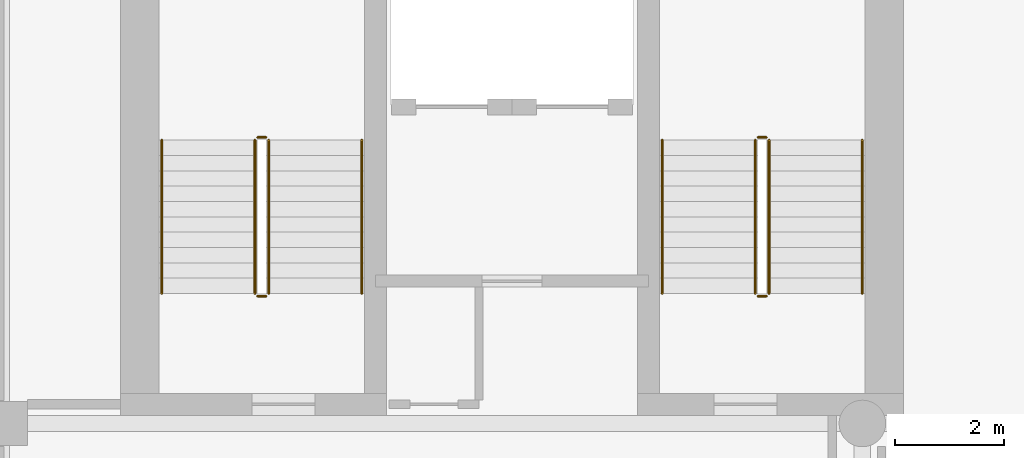
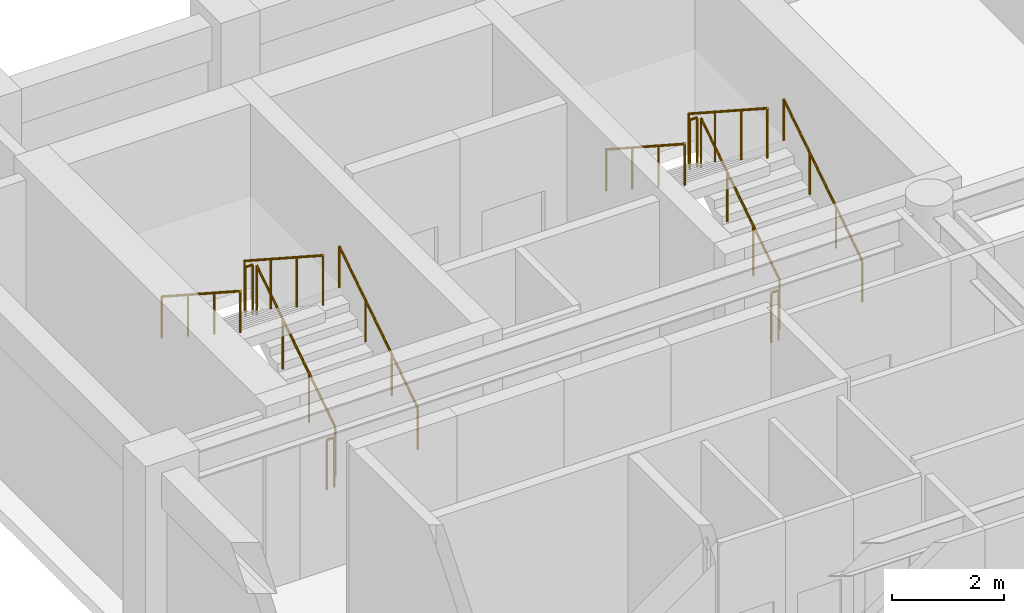
# One storey, part 9 of 10: 12 railings.
"""IFC4 building model written with IfcOpenShell, lengths in metres."""

from ifc_helpers import new_model, si_unit, direction, frame, origin, origin_2d, place, context, subcontext, project, spatial, circle, extrude, material, type_object, element, save


model = new_model("IFC4")

# Units and contexts
model_context = context("Model", 3, precision=1e-05, world=origin(), true_north=direction((0.0, 1.0)))
body_context = subcontext(model_context, "Body", "Model", "MODEL_VIEW")
ifc_project = project(units=[si_unit("LENGTHUNIT", "METRE"), si_unit("AREAUNIT", "SQUARE_METRE"), si_unit("VOLUMEUNIT", "CUBIC_METRE"), si_unit("PLANEANGLEUNIT", "RADIAN"), si_unit("MASSUNIT", "GRAM", prefix="KILO")], contexts=[model_context])

# Site, building, storey
site_placement = place(None, origin())
site = spatial("IfcSite", under=ifc_project, at=site_placement, CompositionType="ELEMENT")
building_placement = place(site_placement, origin())
building = spatial("IfcBuilding", under=site, at=building_placement, Name="Sulina Concourse Tower", CompositionType="ELEMENT")
storey_placement = place(building_placement, frame((0.0, 0.0, 214.60009765625)))
storey = spatial("IfcBuildingStorey", under=building, at=storey_placement, Name="L52", CompositionType="ELEMENT", Elevation=214.60009765625)

# Railings
ifc_material_1 = material(Name="Galvanised steel railing", Category="steel")
railing_type_1 = type_object("IfcRailingType", Name="Core Stair Steel Guardrail 1150mm", PredefinedType="GUARDRAIL", material=ifc_material_1)
railing_1_placement = place(storey_placement, frame((5.554931640625, 36.375, 0.181640625)))
element("IfcRailing", 1, at=railing_1_placement, inside=storey, type_object=railing_type_1, Name="L52 ST-1 stair guard 1", PredefinedType="GUARDRAIL", context=body_context, shape_type="SweptSolid", body=[
    extrude(circle(Radius=0.02392578125, at=origin_2d()), frame((0.0, 0.0, 1.076171875), z_axis=(0.0, 0.838672427954, 0.544636170843), x_axis=(-1.0, 0.0, 0.0)), (0.0, 0.0, 1.0), 3.338623046875),
    extrude(circle(Radius=0.02099609375, at=origin_2d()), origin(), (0.0, 0.0, 1.0), 1.052001953125),
    extrude(circle(Radius=0.02099609375, at=origin_2d()), frame((0.0, 0.933349609375, 0.606201171875)), (0.0, 0.0, 1.0), 1.052001953125),
    extrude(circle(Radius=0.02099609375, at=origin_2d()), frame((0.0, 1.86669921875, 1.212158203125)), (0.0, 0.0, 1.0), 1.052001953125),
    extrude(circle(Radius=0.02099609375, at=origin_2d()), frame((0.0, 2.800048828125, 1.818359375)), (0.0, 0.0, 1.0), 1.052001953125),
])
railing_2_placement = place(storey_placement, frame((5.5048828125, 39.22509765625, 2.0)))
element("IfcRailing", 2, at=railing_2_placement, inside=storey, type_object=railing_type_1, Name="L52 ST-1 stair guard 2", PredefinedType="GUARDRAIL", context=body_context, shape_type="SweptSolid", body=[
    extrude(circle(Radius=0.02392578125, at=origin_2d()), frame((0.0, 0.0, 1.076171875), z_axis=(-1.0, 0.0, 0.0), x_axis=(0.0, -1.0, 0.0)), (0.0, 0.0, 1.0), 0.14990234375),
    extrude(circle(Radius=0.02099609375, at=origin_2d()), origin(), (0.0, 0.0, 1.0), 1.052001953125),
    extrude(circle(Radius=0.02099609375, at=origin_2d()), frame((-0.14990234375, 0.0, 0.0)), (0.0, 0.0, 1.0), 1.052001953125),
])
railing_3_placement = place(storey_placement, frame((5.304931640625, 39.175048828125, 2.181640625)))
element("IfcRailing", 3, at=railing_3_placement, inside=storey, type_object=railing_type_1, Name="L52 ST-1 stair guard 3", PredefinedType="GUARDRAIL", context=body_context, shape_type="SweptSolid", body=[
    extrude(circle(Radius=0.02392578125, at=origin_2d()), frame((0.0, 0.0, 1.076171875), z_axis=(0.0, -0.838672427954, 0.544636170843), x_axis=(1.0, 0.0, 0.0)), (0.0, 0.0, 1.0), 3.338623046875),
    extrude(circle(Radius=0.02099609375, at=origin_2d()), origin(), (0.0, 0.0, 1.0), 1.052001953125),
    extrude(circle(Radius=0.02099609375, at=origin_2d()), frame((0.0, -0.933349609375, 0.606201171875)), (0.0, 0.0, 1.0), 1.052001953125),
    extrude(circle(Radius=0.02099609375, at=origin_2d()), frame((0.0, -1.86669921875, 1.212158203125)), (0.0, 0.0, 1.0), 1.052001953125),
    extrude(circle(Radius=0.02099609375, at=origin_2d()), frame((0.0, -2.800048828125, 1.818359375)), (0.0, 0.0, 1.0), 1.052001953125),
])
railing_4_placement = place(storey_placement, frame((5.5048828125, 36.324951171875, 0.0)))
element("IfcRailing", 4, at=railing_4_placement, inside=storey, type_object=railing_type_1, Name="L52 ST-1 stair guard 4", PredefinedType="GUARDRAIL", context=body_context, shape_type="SweptSolid", body=[
    extrude(circle(Radius=0.02392578125, at=origin_2d()), frame((0.0, 0.0, 1.076171875), z_axis=(-1.0, 0.0, 0.0), x_axis=(0.0, -1.0, 0.0)), (0.0, 0.0, 1.0), 0.14990234375),
    extrude(circle(Radius=0.02099609375, at=origin_2d()), origin(), (0.0, 0.0, 1.0), 1.052001953125),
    extrude(circle(Radius=0.02099609375, at=origin_2d()), frame((-0.14990234375, 0.0, 0.0)), (0.0, 0.0, 1.0), 1.052001953125),
])
railing_5_placement = place(storey_placement, frame((14.695068359375, 36.375, 0.181640625)))
element("IfcRailing", 5, at=railing_5_placement, inside=storey, type_object=railing_type_1, Name="L52 ST-2 stair guard 1", PredefinedType="GUARDRAIL", context=body_context, shape_type="SweptSolid", body=[
    extrude(circle(Radius=0.02392578125, at=origin_2d()), frame((0.0, 0.0, 1.076171875), z_axis=(0.0, 0.838672427954, 0.544636170843), x_axis=(-1.0, 0.0, 0.0)), (0.0, 0.0, 1.0), 3.338623046875),
    extrude(circle(Radius=0.02099609375, at=origin_2d()), origin(), (0.0, 0.0, 1.0), 1.052001953125),
    extrude(circle(Radius=0.02099609375, at=origin_2d()), frame((0.0, 0.933349609375, 0.606201171875)), (0.0, 0.0, 1.0), 1.052001953125),
    extrude(circle(Radius=0.02099609375, at=origin_2d()), frame((0.0, 1.86669921875, 1.212158203125)), (0.0, 0.0, 1.0), 1.052001953125),
    extrude(circle(Radius=0.02099609375, at=origin_2d()), frame((0.0, 2.800048828125, 1.818359375)), (0.0, 0.0, 1.0), 1.052001953125),
])
railing_6_placement = place(storey_placement, frame((14.64501953125, 39.22509765625, 2.0)))
element("IfcRailing", 6, at=railing_6_placement, inside=storey, type_object=railing_type_1, Name="L52 ST-2 stair guard 2", PredefinedType="GUARDRAIL", context=body_context, shape_type="SweptSolid", body=[
    extrude(circle(Radius=0.02392578125, at=origin_2d()), frame((0.0, 0.0, 1.076171875), z_axis=(-1.0, 0.0, 0.0), x_axis=(0.0, -1.0, 0.0)), (0.0, 0.0, 1.0), 0.14990234375),
    extrude(circle(Radius=0.02099609375, at=origin_2d()), origin(), (0.0, 0.0, 1.0), 1.052001953125),
    extrude(circle(Radius=0.02099609375, at=origin_2d()), frame((-0.14990234375, 0.0, 0.0)), (0.0, 0.0, 1.0), 1.052001953125),
])
railing_7_placement = place(storey_placement, frame((14.445068359375, 39.175048828125, 2.181640625)))
element("IfcRailing", 7, at=railing_7_placement, inside=storey, type_object=railing_type_1, Name="L52 ST-2 stair guard 3", PredefinedType="GUARDRAIL", context=body_context, shape_type="SweptSolid", body=[
    extrude(circle(Radius=0.02392578125, at=origin_2d()), frame((0.0, 0.0, 1.076171875), z_axis=(0.0, -0.838672427954, 0.544636170843), x_axis=(1.0, 0.0, 0.0)), (0.0, 0.0, 1.0), 3.338623046875),
    extrude(circle(Radius=0.02099609375, at=origin_2d()), origin(), (0.0, 0.0, 1.0), 1.052001953125),
    extrude(circle(Radius=0.02099609375, at=origin_2d()), frame((0.0, -0.933349609375, 0.606201171875)), (0.0, 0.0, 1.0), 1.052001953125),
    extrude(circle(Radius=0.02099609375, at=origin_2d()), frame((0.0, -1.86669921875, 1.212158203125)), (0.0, 0.0, 1.0), 1.052001953125),
    extrude(circle(Radius=0.02099609375, at=origin_2d()), frame((0.0, -2.800048828125, 1.818359375)), (0.0, 0.0, 1.0), 1.052001953125),
])
railing_8_placement = place(storey_placement, frame((14.64501953125, 36.324951171875, 0.0)))
element("IfcRailing", 8, at=railing_8_placement, inside=storey, type_object=railing_type_1, Name="L52 ST-2 stair guard 4", PredefinedType="GUARDRAIL", context=body_context, shape_type="SweptSolid", body=[
    extrude(circle(Radius=0.02392578125, at=origin_2d()), frame((0.0, 0.0, 1.076171875), z_axis=(-1.0, 0.0, 0.0), x_axis=(0.0, -1.0, 0.0)), (0.0, 0.0, 1.0), 0.14990234375),
    extrude(circle(Radius=0.02099609375, at=origin_2d()), origin(), (0.0, 0.0, 1.0), 1.052001953125),
    extrude(circle(Radius=0.02099609375, at=origin_2d()), frame((-0.14990234375, 0.0, 0.0)), (0.0, 0.0, 1.0), 1.052001953125),
])
ifc_material_2 = material(Name="Galvanised steel railing", Category="steel")
railing_type_2 = type_object("IfcRailingType", Name="Stair Wall Steel Handrail 920mm", PredefinedType="HANDRAIL", material=ifc_material_2)
railing_9_placement = place(storey_placement, frame((7.2548828125, 36.375, 0.181640625)))
element("IfcRailing", 9, at=railing_9_placement, inside=storey, type_object=railing_type_2, Name="L52 ST-1 stair handrail 1", PredefinedType="HANDRAIL", context=body_context, shape_type="SweptSolid", body=[
    extrude(circle(Radius=0.02392578125, at=origin_2d()), frame((0.0, 0.0, 0.89599609375), z_axis=(0.0, 0.838672427954, 0.544636170843), x_axis=(-1.0, 0.0, 0.0)), (0.0, 0.0, 1.0), 3.338623046875),
    extrude(circle(Radius=0.02099609375, at=origin_2d()), origin(), (0.0, 0.0, 1.0), 0.871826171875),
    extrude(circle(Radius=0.02099609375, at=origin_2d()), frame((0.0, 0.933349609375, 0.606201171875)), (0.0, 0.0, 1.0), 0.871826171875),
    extrude(circle(Radius=0.02099609375, at=origin_2d()), frame((0.0, 1.86669921875, 1.212158203125)), (0.0, 0.0, 1.0), 0.871826171875),
    extrude(circle(Radius=0.02099609375, at=origin_2d()), frame((0.0, 2.800048828125, 1.818359375)), (0.0, 0.0, 1.0), 0.871826171875),
])
railing_10_placement = place(storey_placement, frame((3.60498046875, 39.175048828125, 2.181640625)))
element("IfcRailing", 10, at=railing_10_placement, inside=storey, type_object=railing_type_2, Name="L52 ST-1 stair handrail 2", PredefinedType="HANDRAIL", context=body_context, shape_type="SweptSolid", body=[
    extrude(circle(Radius=0.02392578125, at=origin_2d()), frame((0.0, 0.0, 0.89599609375), z_axis=(0.0, -0.838672427954, 0.544636170843), x_axis=(1.0, 0.0, 0.0)), (0.0, 0.0, 1.0), 3.338623046875),
    extrude(circle(Radius=0.02099609375, at=origin_2d()), origin(), (0.0, 0.0, 1.0), 0.871826171875),
    extrude(circle(Radius=0.02099609375, at=origin_2d()), frame((0.0, -0.933349609375, 0.606201171875)), (0.0, 0.0, 1.0), 0.871826171875),
    extrude(circle(Radius=0.02099609375, at=origin_2d()), frame((0.0, -1.86669921875, 1.212158203125)), (0.0, 0.0, 1.0), 0.871826171875),
    extrude(circle(Radius=0.02099609375, at=origin_2d()), frame((0.0, -2.800048828125, 1.818359375)), (0.0, 0.0, 1.0), 0.871826171875),
])
railing_11_placement = place(storey_placement, frame((16.39501953125, 36.375, 0.181640625)))
element("IfcRailing", 11, at=railing_11_placement, inside=storey, type_object=railing_type_2, Name="L52 ST-2 stair handrail 1", PredefinedType="HANDRAIL", context=body_context, shape_type="SweptSolid", body=[
    extrude(circle(Radius=0.02392578125, at=origin_2d()), frame((0.0, 0.0, 0.89599609375), z_axis=(0.0, 0.838672427954, 0.544636170843), x_axis=(-1.0, 0.0, 0.0)), (0.0, 0.0, 1.0), 3.338623046875),
    extrude(circle(Radius=0.02099609375, at=origin_2d()), origin(), (0.0, 0.0, 1.0), 0.871826171875),
    extrude(circle(Radius=0.02099609375, at=origin_2d()), frame((0.0, 0.933349609375, 0.606201171875)), (0.0, 0.0, 1.0), 0.871826171875),
    extrude(circle(Radius=0.02099609375, at=origin_2d()), frame((0.0, 1.86669921875, 1.212158203125)), (0.0, 0.0, 1.0), 0.871826171875),
    extrude(circle(Radius=0.02099609375, at=origin_2d()), frame((0.0, 2.800048828125, 1.818359375)), (0.0, 0.0, 1.0), 0.871826171875),
])
railing_12_placement = place(storey_placement, frame((12.7451171875, 39.175048828125, 2.181640625)))
element("IfcRailing", 12, at=railing_12_placement, inside=storey, type_object=railing_type_2, Name="L52 ST-2 stair handrail 2", PredefinedType="HANDRAIL", context=body_context, shape_type="SweptSolid", body=[
    extrude(circle(Radius=0.02392578125, at=origin_2d()), frame((0.0, 0.0, 0.89599609375), z_axis=(0.0, -0.838672427954, 0.544636170843), x_axis=(1.0, 0.0, 0.0)), (0.0, 0.0, 1.0), 3.338623046875),
    extrude(circle(Radius=0.02099609375, at=origin_2d()), origin(), (0.0, 0.0, 1.0), 0.871826171875),
    extrude(circle(Radius=0.02099609375, at=origin_2d()), frame((0.0, -0.933349609375, 0.606201171875)), (0.0, 0.0, 1.0), 0.871826171875),
    extrude(circle(Radius=0.02099609375, at=origin_2d()), frame((0.0, -1.86669921875, 1.212158203125)), (0.0, 0.0, 1.0), 0.871826171875),
    extrude(circle(Radius=0.02099609375, at=origin_2d()), frame((0.0, -2.800048828125, 1.818359375)), (0.0, 0.0, 1.0), 0.871826171875),
])

save(model, "model.ifc")
